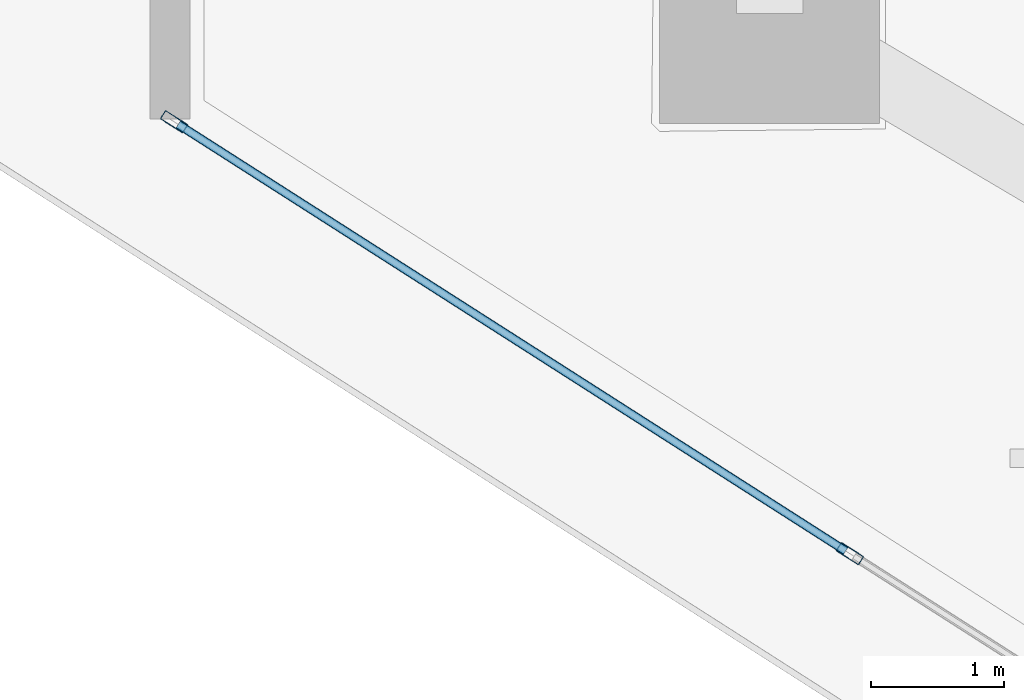
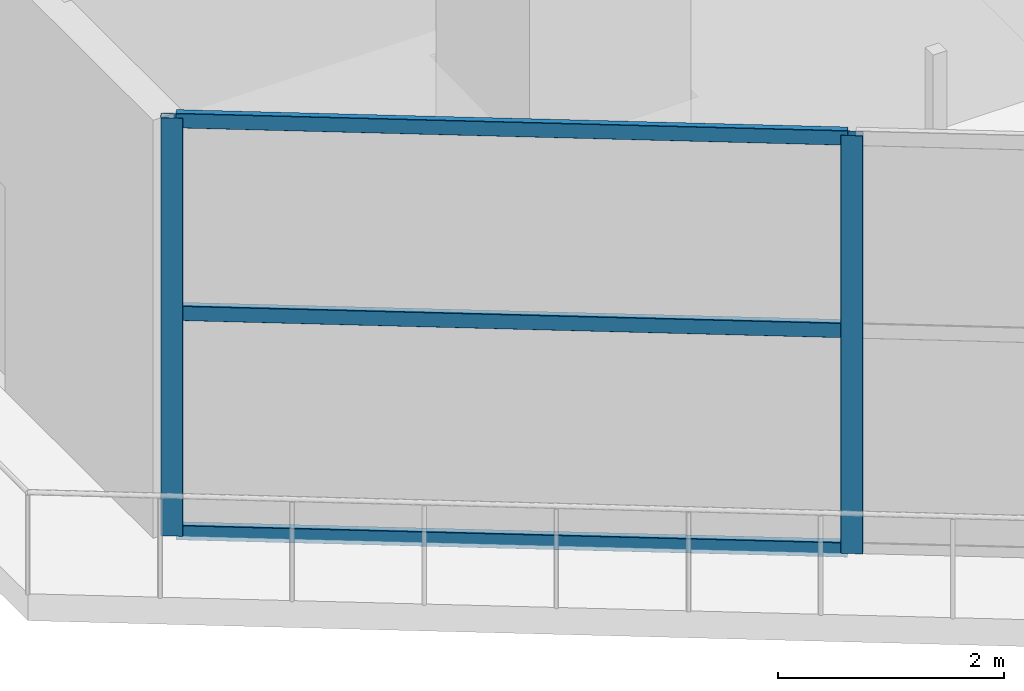
# One storey, part 5 of 36: 5 members, 1 element without a shape of its own.
"""IFC4 building model written with IfcOpenShell, lengths in metres."""

from ifc_helpers import new_model, si_unit, direction, frame, origin, origin_2d, place, context, subcontext, project, spatial, hollow_rectangle, extrude, material, layer, layer_set, material_profile, profile_set, type_object, element, aggregate, save


model = new_model("IFC4")

# Units and contexts
model_context = context("Model", 3, precision=1e-05, world=origin(), true_north=direction((0.0, 1.0)))
body_context = subcontext(model_context, "Body", "Model", "MODEL_VIEW")
ifc_project = project(units=[si_unit("LENGTHUNIT", "METRE"), si_unit("AREAUNIT", "SQUARE_METRE"), si_unit("VOLUMEUNIT", "CUBIC_METRE"), si_unit("PLANEANGLEUNIT", "RADIAN"), si_unit("MASSUNIT", "GRAM", prefix="KILO")], contexts=[model_context])

# Site, building, storey
site_placement = place(None, origin())
site = spatial("IfcSite", under=ifc_project, at=site_placement, CompositionType="ELEMENT")
building_placement = place(site_placement, origin())
building = spatial("IfcBuilding", under=site, at=building_placement, Name="Qorvath Tower", CompositionType="ELEMENT")
storey_placement = place(building_placement, frame((0.0, 0.0, 255.0)))
storey = spatial("IfcBuildingStorey", under=building, at=storey_placement, Name="L59", CompositionType="ELEMENT", Elevation=255.0)

# Curtain wall, members
ifc_material_1 = material(Name="Anodised aluminium and triple low-E glass", Category="aluminium")
ifc_layer = layer(ifc_material_1, 0.179931640625)
ifc_layer_set = layer_set([ifc_layer], Name="CW-SYS-5")
curtain_wall_type = type_object("IfcCurtainWallType", Name="CW-SYS-5", PredefinedType="NOTDEFINED", material=ifc_layer_set)
curtain_wall_placement = place(storey_placement, origin())
curtain_wall = element("IfcCurtainWall", 1, at=curtain_wall_placement, inside=storey, type_object=curtain_wall_type, Name="Curtain Wall CW-5 CW-T-L59-2.1", PredefinedType="NOTDEFINED")
ifc_material_2 = material(Name="Anodised aluminium 6063-T6", Category="aluminium")
ifc_material_profile_1 = material_profile(ifc_material_2, hollow_rectangle(XDim=0.074951171875, YDim=0.199951171875, WallThickness=0.00390625, InnerFilletRadius=0.00390625, OuterFilletRadius=0.008056640625, at=origin_2d()), Name="CWM 200x75")
ifc_profile_set_1 = profile_set([ifc_material_profile_1], Name="Anodised aluminium 6063-T6")
member_type_1 = type_object("IfcMemberType", Name="CWM-200", PredefinedType="MULLION", material=ifc_profile_set_1)
member_1_placement = place(storey_placement, frame((-52.00439453125, -3.16259765625, 0.0), z_axis=(0.0, 0.0, 1.0), x_axis=(0.538531676797, 0.842605265285, 0.0)))
member_1 = element("IfcMember", 2, at=member_1_placement, type_object=member_type_1, Name="CW-5 mullion 1", PredefinedType="MULLION", context=body_context, shape_type="SweptSolid", body=[
    extrude(hollow_rectangle(XDim=0.074951171875, YDim=0.199951171875, WallThickness=0.00390625, InnerFilletRadius=0.00390625, OuterFilletRadius=0.008056640625, at=origin_2d()), origin(), (0.0, 0.0, 1.0), 4.510009765625),
])
member_2_placement = place(storey_placement, frame((-46.935546875, -6.402099609375, 0.0), z_axis=(0.0, 0.0, 1.0), x_axis=(0.538531676797, 0.842605265285, 0.0)))
member_2 = element("IfcMember", 3, at=member_2_placement, type_object=member_type_1, Name="CW-5 mullion 2", PredefinedType="MULLION", context=body_context, shape_type="SweptSolid", body=[
    extrude(hollow_rectangle(XDim=0.074951171875, YDim=0.199951171875, WallThickness=0.00390625, InnerFilletRadius=0.00390625, OuterFilletRadius=0.008056640625, at=origin_2d()), origin(), (0.0, 0.0, 1.0), 4.510009765625),
])
ifc_material_3 = material(Name="Anodised aluminium 6063-T6", Category="aluminium")
ifc_material_profile_2 = material_profile(ifc_material_3, hollow_rectangle(XDim=0.06494140625, YDim=0.159912109375, WallThickness=0.00341796875, InnerFilletRadius=0.00341796875, OuterFilletRadius=0.007080078125, at=origin_2d()), Name="CWT 160x65")
ifc_profile_set_2 = profile_set([ifc_material_profile_2], Name="Anodised aluminium 6063-T6")
member_type_2 = type_object("IfcMemberType", Name="CWT-160", PredefinedType="USERDEFINED", material=ifc_profile_set_2)
member_3_placement = place(storey_placement, frame((-51.972900390625, -3.1826171875, 0.032470703125), z_axis=(0.842586961431, -0.538560314567, 0.0), x_axis=(0.538560314567, 0.842586961431, 0.0)))
member_3 = element("IfcMember", 4, at=member_3_placement, type_object=member_type_2, Name="CW-5 transom 1.1", ObjectType="TRANSOM", PredefinedType="USERDEFINED", context=body_context, shape_type="SweptSolid", body=[
    extrude(hollow_rectangle(XDim=0.06494140625, YDim=0.159912109375, WallThickness=0.00341796875, InnerFilletRadius=0.00341796875, OuterFilletRadius=0.007080078125, at=origin_2d()), origin(), (0.0, 0.0, 1.0), 5.940673828125),
])
member_4_placement = place(storey_placement, frame((-51.972900390625, -3.1826171875, 2.39990234375), z_axis=(0.842586961431, -0.538560314567, 0.0), x_axis=(0.538560314567, 0.842586961431, 0.0)))
member_4 = element("IfcMember", 5, at=member_4_placement, type_object=member_type_2, Name="CW-5 transom 1.2", ObjectType="TRANSOM", PredefinedType="USERDEFINED", context=body_context, shape_type="SweptSolid", body=[
    extrude(hollow_rectangle(XDim=0.06494140625, YDim=0.159912109375, WallThickness=0.00341796875, InnerFilletRadius=0.00341796875, OuterFilletRadius=0.007080078125, at=origin_2d()), origin(), (0.0, 0.0, 1.0), 5.940673828125),
])
member_5_placement = place(storey_placement, frame((-51.972900390625, -3.1826171875, 4.4775390625), z_axis=(0.842586961431, -0.538560314567, 0.0), x_axis=(0.538560314567, 0.842586961431, 0.0)))
member_5 = element("IfcMember", 6, at=member_5_placement, type_object=member_type_2, Name="CW-5 transom 1.3", ObjectType="TRANSOM", PredefinedType="USERDEFINED", context=body_context, shape_type="SweptSolid", body=[
    extrude(hollow_rectangle(XDim=0.06494140625, YDim=0.159912109375, WallThickness=0.00341796875, InnerFilletRadius=0.00341796875, OuterFilletRadius=0.007080078125, at=origin_2d()), origin(), (0.0, 0.0, 1.0), 5.940673828125),
])
aggregate(curtain_wall, [member_1, member_2, member_3, member_4, member_5])

save(model, "model.ifc")
